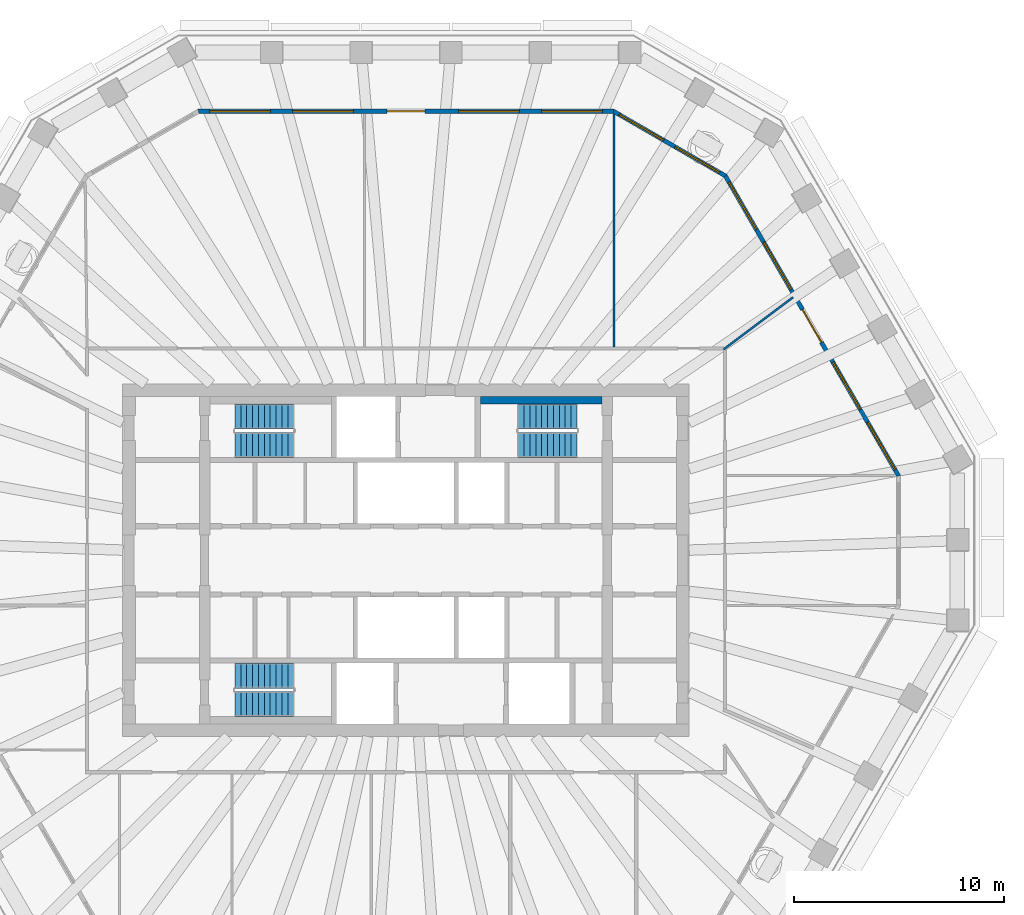
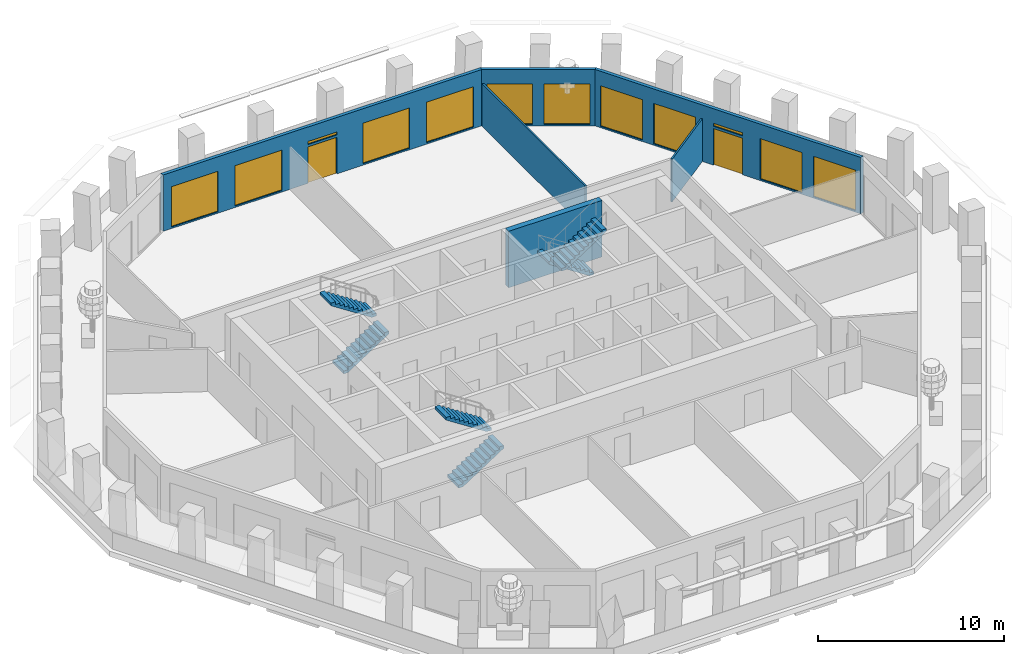
# One storey, part 8 of 12: 12 windows, 6 stair flights, 6 walls, 2 doors, 14 openings, 3 elements without a shape of their own.
"""IFC4 building model written with IfcOpenShell, lengths in metres."""

from ifc_helpers import new_model, si_unit, direction, frame, frame_2d, origin, place, context, subcontext, project, spatial, polyline, rectangle, outline, extrude, material, layer, layer_set, type_object, element, fill, aggregate, save


model = new_model("IFC4")

# Units and contexts
model_context = context("Model", 3, precision=1e-05, world=origin(), true_north=direction((0.0, 1.0)))
body_context = subcontext(model_context, "Body", "Model", "MODEL_VIEW")
ifc_project = project(units=[si_unit("LENGTHUNIT", "METRE"), si_unit("AREAUNIT", "SQUARE_METRE"), si_unit("VOLUMEUNIT", "CUBIC_METRE"), si_unit("PLANEANGLEUNIT", "RADIAN"), si_unit("MASSUNIT", "GRAM", prefix="KILO")], contexts=[model_context])

# Site, building, storey
site_placement = place(None, origin())
site = spatial("IfcSite", under=ifc_project, at=site_placement, CompositionType="ELEMENT")
building_placement = place(site_placement, origin())
building = spatial("IfcBuilding", under=site, at=building_placement, Name="Frailejon Research Tower", CompositionType="ELEMENT")
storey_placement = place(building_placement, frame((0.0, 0.0, 241.39990234375)))
storey = spatial("IfcBuildingStorey", under=building, at=storey_placement, Name="L52", CompositionType="ELEMENT", Elevation=241.39990234375)

# Walls
ifc_material_1 = material(Name="Gypsum board and masonry partition", Category="masonry")
ifc_layer_1 = layer(ifc_material_1, 0.10009765625)
ifc_layer_set_1 = layer_set([ifc_layer_1], Name="Partition, gypsum on steel studs 100")
wall_type_1 = type_object("IfcWallType", Name="Partition, gypsum on steel studs 100", PredefinedType="PARTITIONING", material=ifc_layer_set_1)
wall_1_placement = place(storey_placement, frame((15.139892578125, 10.054931640625, 0.0), z_axis=(0.0, 0.0, 1.0), x_axis=(0.799893673581, 0.600141742395, 0.0)))
element("IfcWall", 1, at=wall_1_placement, inside=storey, type_object=wall_type_1, Name="T:IW:L52:016", PredefinedType="PARTITIONING", context=body_context, shape_type="SweptSolid", body=[
    extrude(rectangle(XDim=4.133544921875, YDim=0.10009765625, at=frame_2d((2.06689453125, 0.0))), origin(), (0.0, 0.0, 1.0), 2.800048828125),
])
wall_2_placement = place(storey_placement, frame((9.918212890625, 10.175048828125, 0.0), z_axis=(0.0, 0.0, 1.0), x_axis=(0.0, 1.0, 0.0)))
element("IfcWall", 2, at=wall_2_placement, inside=storey, type_object=wall_type_1, Name="T:IW:L52:017", PredefinedType="PARTITIONING", context=body_context, shape_type="SweptSolid", body=[
    extrude(rectangle(XDim=11.093994140625, YDim=0.10009765625, at=frame_2d((5.546875, 0.0))), origin(), (0.0, 0.0, 1.0), 2.800048828125),
])
ifc_material_2 = material(Name="Concrete C60/75", Category="concrete")
ifc_layer_2 = layer(ifc_material_2, 0.35009765625)
ifc_layer_set_2 = layer_set([ifc_layer_2], Name="Shaft wall 350 C60/75")
wall_type_2 = type_object("IfcWallType", Name="Shaft wall 350 C60/75", PredefinedType="SOLIDWALL", material=ifc_layer_set_2)
wall_3_placement = place(storey_placement, frame((3.550048828125, 7.625, 0.0), z_axis=(0.0, 0.0, 1.0), x_axis=(1.0, 0.0, 0.0)))
element("IfcWall", 3, at=wall_3_placement, inside=storey, type_object=wall_type_2, Name="Shaft wall", PredefinedType="SOLIDWALL", context=body_context, shape_type="SweptSolid", body=[
    extrude(rectangle(XDim=5.800048828125, YDim=0.35009765625, at=frame_2d((2.89990234375, 0.0))), origin(), (0.0, 0.0, 1.0), 3.7001953125),
])

# Wall, openings, door, windows
ifc_material_3 = material(Name="Concrete C40/50 precast window wall panel", Category="concrete")
ifc_layer_3 = layer(ifc_material_3, 0.199951171875)
ifc_layer_set_3 = layer_set([ifc_layer_3], Name="Window wall 200")
wall_type_3 = type_object("IfcWallType", Name="Window wall 200", PredefinedType="SOLIDWALL", material=ifc_layer_set_3)
wall_4_placement = place(storey_placement, frame((23.478759765625, 4.019287109375, 0.0), z_axis=(0.0, 0.0, 1.0), x_axis=(-0.500000529106, 0.866025098304, 0.0)))
wall_4 = element("IfcWall", 4, at=wall_4_placement, inside=storey, type_object=wall_type_3, Name="Exterior wall L52", PredefinedType="SOLIDWALL", context=body_context, shape_type="SweptSolid", body=[
    extrude(outline(polyline([(-0.02685546875, -0.10009765625), (1.0087890625, -0.10009765625), (2.04443359375, -0.10009765625), (3.080078125, -0.10009765625), (4.11572265625, -0.10009765625), (5.151611328125, -0.10009765625), (6.187255859375, -0.10009765625), (7.222900390625, -0.10009765625), (8.258544921875, -0.10009765625), (9.294189453125, -0.10009765625), (10.329833984375, -0.10009765625), (11.365478515625, -0.10009765625), (12.4013671875, -0.10009765625), (13.43701171875, -0.10009765625), (14.47265625, -0.10009765625), (15.50830078125, -0.10009765625), (16.5439453125, -0.10009765625), (16.490234375, 0.10009765625), (15.461181640625, 0.10009765625), (14.432373046875, 0.10009765625), (13.4033203125, 0.10009765625), (12.37451171875, 0.10009765625), (11.345458984375, 0.10009765625), (10.31640625, 0.10009765625), (9.28759765625, 0.10009765625), (8.258544921875, 0.10009765625), (7.2294921875, 0.10009765625), (6.20068359375, 0.10009765625), (5.171630859375, 0.10009765625), (4.142578125, 0.10009765625), (3.11376953125, 0.10009765625), (2.084716796875, 0.10009765625), (1.055908203125, 0.10009765625), (0.02685546875, 0.10009765625), (-0.02685546875, -0.10009765625)])), origin(), (0.0, 0.0, 1.0), 3.7001953125),
])
opening_1_placement = place(wall_4_placement, frame((0.351806640625, 0.0, 0.10009765625)))
opening_1 = element("IfcOpeningElement", 5, at=opening_1_placement, cuts=wall_4, Name="Opening W18", PredefinedType="OPENING", context=body_context, shape_type="SweptSolid", body=[
    extrude(rectangle(XDim=2.60009765625, YDim=2.64990234375, at=frame_2d((1.300048828125, 1.324951171875))), frame((0.0, 0.10986328125, 0.0), z_axis=(0.0, -1.0, 0.0), x_axis=(1.0, 0.0, 0.0)), (0.0, 0.0, 1.0), 0.219970703125),
])
opening_2_placement = place(wall_4_placement, frame((3.6552734375, 0.0, 0.10009765625)))
opening_2 = element("IfcOpeningElement", 6, at=opening_2_placement, cuts=wall_4, Name="Opening W18", PredefinedType="OPENING", context=body_context, shape_type="SweptSolid", body=[
    extrude(rectangle(XDim=2.60009765625, YDim=2.64990234375, at=frame_2d((1.300048828125, 1.324951171875))), frame((0.0, 0.10986328125, 0.0), z_axis=(0.0, -1.0, 0.0), x_axis=(1.0, 0.0, 0.0)), (0.0, 0.0, 1.0), 0.219970703125),
])
opening_3_placement = place(wall_4_placement, frame((7.358642578125, 0.0, 0.0)))
opening_3 = element("IfcOpeningElement", 7, at=opening_3_placement, cuts=wall_4, Name="Opening LG52-1", PredefinedType="OPENING", context=body_context, shape_type="SweptSolid", body=[
    extrude(rectangle(XDim=1.800048828125, YDim=2.39990234375, at=frame_2d((0.89990234375, 1.199951171875))), frame((0.0, 0.10986328125, 0.0), z_axis=(0.0, -1.0, 0.0), x_axis=(1.0, 0.0, 0.0)), (0.0, 0.0, 1.0), 0.219970703125),
])
opening_4_placement = place(wall_4_placement, frame((7.358642578125, 0.0, 2.550048828125)))
opening_4 = element("IfcOpeningElement", 8, at=opening_4_placement, cuts=wall_4, Name="Opening W19", PredefinedType="OPENING", context=body_context, shape_type="SweptSolid", body=[
    extrude(rectangle(XDim=1.800048828125, YDim=0.199951171875, at=frame_2d((0.89990234375, 0.10009765625))), frame((0.0, 0.10986328125, 0.0), z_axis=(0.0, -1.0, 0.0), x_axis=(1.0, 0.0, 0.0)), (0.0, 0.0, 1.0), 0.219970703125),
])
opening_5_placement = place(wall_4_placement, frame((10.261962890625, 0.0, 0.10009765625)))
opening_5 = element("IfcOpeningElement", 9, at=opening_5_placement, cuts=wall_4, Name="Opening W18", PredefinedType="OPENING", context=body_context, shape_type="SweptSolid", body=[
    extrude(rectangle(XDim=2.60009765625, YDim=2.64990234375, at=frame_2d((1.300048828125, 1.324951171875))), frame((0.0, 0.10986328125, 0.0), z_axis=(0.0, -1.0, 0.0), x_axis=(1.0, 0.0, 0.0)), (0.0, 0.0, 1.0), 0.219970703125),
])
opening_6_placement = place(wall_4_placement, frame((13.5654296875, 0.0, 0.10009765625)))
opening_6 = element("IfcOpeningElement", 10, at=opening_6_placement, cuts=wall_4, Name="Opening W18", PredefinedType="OPENING", context=body_context, shape_type="SweptSolid", body=[
    extrude(rectangle(XDim=2.60009765625, YDim=2.64990234375, at=frame_2d((1.300048828125, 1.324951171875))), frame((0.0, 0.10986328125, 0.0), z_axis=(0.0, -1.0, 0.0), x_axis=(1.0, 0.0, 0.0)), (0.0, 0.0, 1.0), 0.219970703125),
])
ifc_material_4 = material(Name="Aluminium framed glazed door leaf", Category="aluminium")
door_type = type_object("IfcDoorType", Name="Loggia door 1800x2400", OperationType="DOUBLE_DOOR_SINGLE_SWING", PredefinedType="DOOR", material=ifc_material_4)
door_1_placement = place(opening_3_placement, origin())
door_1 = element("IfcDoor", 11, at=door_1_placement, inside=storey, type_object=door_type, Name="Door LG52-1", OperationType="DOUBLE_DOOR_SINGLE_SWING", OverallHeight=2.39990234375, OverallWidth=1.800048828125, PredefinedType="DOOR", context=body_context, shape_type="SweptSolid", body=[
    extrude(rectangle(XDim=1.800048828125, YDim=2.39990234375, at=frame_2d((0.89990234375, 1.199951171875))), frame((0.0, 0.02490234375, 0.0), z_axis=(0.0, -1.0, 0.0), x_axis=(1.0, 0.0, 0.0)), (0.0, 0.0, 1.0), 0.050048828125),
])
fill(opening_3, door_1)
ifc_material_5 = material(Name="Aluminium framed double glazing", Category="aluminium")
window_type_1 = type_object("IfcWindowType", Name="Window 1800x200", PartitioningType="SINGLE_PANEL", PredefinedType="WINDOW", material=ifc_material_5)
window_1_placement = place(opening_4_placement, origin())
window_1 = element("IfcWindow", 12, at=window_1_placement, inside=storey, type_object=window_type_1, Name="Window L52", OverallHeight=0.199951171875, OverallWidth=1.800048828125, PartitioningType="SINGLE_PANEL", PredefinedType="WINDOW", context=body_context, shape_type="SweptSolid", body=[
    extrude(rectangle(XDim=1.800048828125, YDim=0.199951171875, at=frame_2d((0.89990234375, 0.10009765625))), frame((0.0, 0.030029296875, 0.0), z_axis=(0.0, -1.0, 0.0), x_axis=(1.0, 0.0, 0.0)), (0.0, 0.0, 1.0), 0.06005859375),
])
fill(opening_4, window_1)
ifc_material_6 = material(Name="Aluminium framed double glazing", Category="aluminium")
window_type_2 = type_object("IfcWindowType", Name="Window 2600x2650", PartitioningType="SINGLE_PANEL", PredefinedType="WINDOW", material=ifc_material_6)
window_2_placement = place(opening_1_placement, origin())
window_2 = element("IfcWindow", 13, at=window_2_placement, inside=storey, type_object=window_type_2, Name="Window L52", OverallHeight=2.64990234375, OverallWidth=2.60009765625, PartitioningType="SINGLE_PANEL", PredefinedType="WINDOW", context=body_context, shape_type="SweptSolid", body=[
    extrude(rectangle(XDim=2.60009765625, YDim=2.64990234375, at=frame_2d((1.300048828125, 1.324951171875))), frame((0.0, 0.030029296875, 0.0), z_axis=(0.0, -1.0, 0.0), x_axis=(1.0, 0.0, 0.0)), (0.0, 0.0, 1.0), 0.06005859375),
])
fill(opening_1, window_2)
window_3_placement = place(opening_2_placement, origin())
window_3 = element("IfcWindow", 14, at=window_3_placement, inside=storey, type_object=window_type_2, Name="Window L52", OverallHeight=2.64990234375, OverallWidth=2.60009765625, PartitioningType="SINGLE_PANEL", PredefinedType="WINDOW", context=body_context, shape_type="SweptSolid", body=[
    extrude(rectangle(XDim=2.60009765625, YDim=2.64990234375, at=frame_2d((1.300048828125, 1.324951171875))), frame((0.0, 0.030029296875, 0.0), z_axis=(0.0, -1.0, 0.0), x_axis=(1.0, 0.0, 0.0)), (0.0, 0.0, 1.0), 0.06005859375),
])
fill(opening_2, window_3)
window_4_placement = place(opening_5_placement, origin())
window_4 = element("IfcWindow", 15, at=window_4_placement, inside=storey, type_object=window_type_2, Name="Window L52", OverallHeight=2.64990234375, OverallWidth=2.60009765625, PartitioningType="SINGLE_PANEL", PredefinedType="WINDOW", context=body_context, shape_type="SweptSolid", body=[
    extrude(rectangle(XDim=2.60009765625, YDim=2.64990234375, at=frame_2d((1.300048828125, 1.324951171875))), frame((0.0, 0.030029296875, 0.0), z_axis=(0.0, -1.0, 0.0), x_axis=(1.0, 0.0, 0.0)), (0.0, 0.0, 1.0), 0.06005859375),
])
fill(opening_5, window_4)
window_5_placement = place(opening_6_placement, origin())
window_5 = element("IfcWindow", 16, at=window_5_placement, inside=storey, type_object=window_type_2, Name="Window L52", OverallHeight=2.64990234375, OverallWidth=2.60009765625, PartitioningType="SINGLE_PANEL", PredefinedType="WINDOW", context=body_context, shape_type="SweptSolid", body=[
    extrude(rectangle(XDim=2.60009765625, YDim=2.64990234375, at=frame_2d((1.300048828125, 1.324951171875))), frame((0.0, 0.030029296875, 0.0), z_axis=(0.0, -1.0, 0.0), x_axis=(1.0, 0.0, 0.0)), (0.0, 0.0, 1.0), 0.06005859375),
])
fill(opening_6, window_5)

# Wall, openings, windows
wall_5_placement = place(storey_placement, frame((15.22021484375, 18.323486328125, 0.0), z_axis=(0.0, 0.0, 1.0), x_axis=(-0.866029647142, 0.499992650217, 0.0)))
wall_5 = element("IfcWall", 17, at=wall_5_placement, inside=storey, type_object=wall_type_3, Name="Exterior wall L52", PredefinedType="SOLIDWALL", context=body_context, shape_type="SweptSolid", body=[
    extrude(outline(polyline([(-0.02685546875, -0.10009765625), (1.007568359375, -0.10009765625), (2.0419921875, -0.10009765625), (3.076416015625, -0.10009765625), (4.11083984375, -0.10009765625), (5.145263671875, -0.10009765625), (6.1796875, -0.10009765625), (6.1259765625, 0.10009765625), (5.109375, 0.10009765625), (4.093017578125, 0.10009765625), (3.076416015625, 0.10009765625), (2.059814453125, 0.10009765625), (1.04345703125, 0.10009765625), (0.02685546875, 0.10009765625), (-0.02685546875, -0.10009765625)])), origin(), (0.0, 0.0, 1.0), 3.7001953125),
])
opening_7_placement = place(wall_5_placement, frame((0.313232421875, 0.0, 0.10009765625)))
opening_7 = element("IfcOpeningElement", 18, at=opening_7_placement, cuts=wall_5, Name="Opening W17", PredefinedType="OPENING", context=body_context, shape_type="SweptSolid", body=[
    extrude(rectangle(XDim=2.449951171875, YDim=2.64990234375, at=frame_2d((1.22509765625, 1.324951171875))), frame((0.0, 0.10986328125, 0.0), z_axis=(0.0, -1.0, 0.0), x_axis=(1.0, 0.0, 0.0)), (0.0, 0.0, 1.0), 0.219970703125),
])
opening_8_placement = place(wall_5_placement, frame((3.3896484375, 0.0, 0.10009765625)))
opening_8 = element("IfcOpeningElement", 19, at=opening_8_placement, cuts=wall_5, Name="Opening W17", PredefinedType="OPENING", context=body_context, shape_type="SweptSolid", body=[
    extrude(rectangle(XDim=2.449951171875, YDim=2.64990234375, at=frame_2d((1.22509765625, 1.324951171875))), frame((0.0, 0.10986328125, 0.0), z_axis=(0.0, -1.0, 0.0), x_axis=(1.0, 0.0, 0.0)), (0.0, 0.0, 1.0), 0.219970703125),
])
ifc_material_7 = material(Name="Aluminium framed double glazing", Category="aluminium")
window_type_3 = type_object("IfcWindowType", Name="Window 2450x2650", PartitioningType="SINGLE_PANEL", PredefinedType="WINDOW", material=ifc_material_7)
window_6_placement = place(opening_7_placement, origin())
window_6 = element("IfcWindow", 20, at=window_6_placement, inside=storey, type_object=window_type_3, Name="Window L52", OverallHeight=2.64990234375, OverallWidth=2.449951171875, PartitioningType="SINGLE_PANEL", PredefinedType="WINDOW", context=body_context, shape_type="SweptSolid", body=[
    extrude(rectangle(XDim=2.449951171875, YDim=2.64990234375, at=frame_2d((1.22509765625, 1.324951171875))), frame((0.0, 0.030029296875, 0.0), z_axis=(0.0, -1.0, 0.0), x_axis=(1.0, 0.0, 0.0)), (0.0, 0.0, 1.0), 0.06005859375),
])
fill(opening_7, window_6)
window_7_placement = place(opening_8_placement, origin())
window_7 = element("IfcWindow", 21, at=window_7_placement, inside=storey, type_object=window_type_3, Name="Window L52", OverallHeight=2.64990234375, OverallWidth=2.449951171875, PartitioningType="SINGLE_PANEL", PredefinedType="WINDOW", context=body_context, shape_type="SweptSolid", body=[
    extrude(rectangle(XDim=2.449951171875, YDim=2.64990234375, at=frame_2d((1.22509765625, 1.324951171875))), frame((0.0, 0.030029296875, 0.0), z_axis=(0.0, -1.0, 0.0), x_axis=(1.0, 0.0, 0.0)), (0.0, 0.0, 1.0), 0.06005859375),
])
fill(opening_8, window_7)

# Wall, openings, door, windows
wall_6_placement = place(storey_placement, frame((9.8916015625, 21.39990234375, 0.0), z_axis=(0.0, 0.0, 1.0), x_axis=(-1.0, 0.0, 0.0)))
wall_6 = element("IfcWall", 22, at=wall_6_placement, inside=storey, type_object=wall_type_3, Name="Exterior wall L52", PredefinedType="SOLIDWALL", context=body_context, shape_type="SweptSolid", body=[
    extrude(outline(polyline([(-0.02685546875, -0.10009765625), (1.01708984375, -0.10009765625), (2.061279296875, -0.10009765625), (3.105224609375, -0.10009765625), (4.1494140625, -0.10009765625), (5.193359375, -0.10009765625), (6.237548828125, -0.10009765625), (7.281494140625, -0.10009765625), (8.325439453125, -0.10009765625), (9.36962890625, -0.10009765625), (10.41357421875, -0.10009765625), (11.457763671875, -0.10009765625), (12.501708984375, -0.10009765625), (13.545654296875, -0.10009765625), (14.58984375, -0.10009765625), (15.6337890625, -0.10009765625), (16.677978515625, -0.10009765625), (17.721923828125, -0.10009765625), (18.76611328125, -0.10009765625), (19.81005859375, -0.10009765625), (19.75634765625, 0.10009765625), (18.718017578125, 0.10009765625), (17.679443359375, 0.10009765625), (16.64111328125, 0.10009765625), (15.602783203125, 0.10009765625), (14.564453125, 0.10009765625), (13.52587890625, 0.10009765625), (12.487548828125, 0.10009765625), (11.44921875, 0.10009765625), (10.410888671875, 0.10009765625), (9.372314453125, 0.10009765625), (8.333984375, 0.10009765625), (7.295654296875, 0.10009765625), (6.25732421875, 0.10009765625), (5.21875, 0.10009765625), (4.180419921875, 0.10009765625), (3.14208984375, 0.10009765625), (2.103759765625, 0.10009765625), (1.065185546875, 0.10009765625), (0.02685546875, 0.10009765625), (-0.02685546875, -0.10009765625)])), origin(), (0.0, 0.0, 1.0), 3.7001953125),
])
opening_9_placement = place(wall_6_placement, frame((0.5283203125, 0.0, 0.10009765625)))
opening_9 = element("IfcOpeningElement", 23, at=opening_9_placement, cuts=wall_6, Name="Opening W20", PredefinedType="OPENING", context=body_context, shape_type="SweptSolid", body=[
    extrude(rectangle(XDim=2.89990234375, YDim=2.64990234375, at=frame_2d((1.449951171875, 1.324951171875))), frame((0.0, 0.10986328125, 0.0), z_axis=(0.0, -1.0, 0.0), x_axis=(1.0, 0.0, 0.0)), (0.0, 0.0, 1.0), 0.219970703125),
])
opening_10_placement = place(wall_6_placement, frame((4.48486328125, 0.0, 0.10009765625)))
opening_10 = element("IfcOpeningElement", 24, at=opening_10_placement, cuts=wall_6, Name="Opening W20", PredefinedType="OPENING", context=body_context, shape_type="SweptSolid", body=[
    extrude(rectangle(XDim=2.89990234375, YDim=2.64990234375, at=frame_2d((1.449951171875, 1.324951171875))), frame((0.0, 0.10986328125, 0.0), z_axis=(0.0, -1.0, 0.0), x_axis=(1.0, 0.0, 0.0)), (0.0, 0.0, 1.0), 0.219970703125),
])
opening_11_placement = place(wall_6_placement, frame((8.991455078125, 0.0, 0.0)))
opening_11 = element("IfcOpeningElement", 25, at=opening_11_placement, cuts=wall_6, Name="Opening LG52-2", PredefinedType="OPENING", context=body_context, shape_type="SweptSolid", body=[
    extrude(rectangle(XDim=1.800048828125, YDim=2.39990234375, at=frame_2d((0.89990234375, 1.199951171875))), frame((0.0, 0.10986328125, 0.0), z_axis=(0.0, -1.0, 0.0), x_axis=(1.0, 0.0, 0.0)), (0.0, 0.0, 1.0), 0.219970703125),
])
opening_12_placement = place(wall_6_placement, frame((8.991455078125, 0.0, 2.550048828125)))
opening_12 = element("IfcOpeningElement", 26, at=opening_12_placement, cuts=wall_6, Name="Opening W19", PredefinedType="OPENING", context=body_context, shape_type="SweptSolid", body=[
    extrude(rectangle(XDim=1.800048828125, YDim=0.199951171875, at=frame_2d((0.89990234375, 0.10009765625))), frame((0.0, 0.10986328125, 0.0), z_axis=(0.0, -1.0, 0.0), x_axis=(1.0, 0.0, 0.0)), (0.0, 0.0, 1.0), 0.219970703125),
])
opening_13_placement = place(wall_6_placement, frame((12.398193359375, 0.0, 0.10009765625)))
opening_13 = element("IfcOpeningElement", 27, at=opening_13_placement, cuts=wall_6, Name="Opening W20", PredefinedType="OPENING", context=body_context, shape_type="SweptSolid", body=[
    extrude(rectangle(XDim=2.89990234375, YDim=2.64990234375, at=frame_2d((1.449951171875, 1.324951171875))), frame((0.0, 0.10986328125, 0.0), z_axis=(0.0, -1.0, 0.0), x_axis=(1.0, 0.0, 0.0)), (0.0, 0.0, 1.0), 0.219970703125),
])
opening_14_placement = place(wall_6_placement, frame((16.354736328125, 0.0, 0.10009765625)))
opening_14 = element("IfcOpeningElement", 28, at=opening_14_placement, cuts=wall_6, Name="Opening W20", PredefinedType="OPENING", context=body_context, shape_type="SweptSolid", body=[
    extrude(rectangle(XDim=2.89990234375, YDim=2.64990234375, at=frame_2d((1.449951171875, 1.324951171875))), frame((0.0, 0.10986328125, 0.0), z_axis=(0.0, -1.0, 0.0), x_axis=(1.0, 0.0, 0.0)), (0.0, 0.0, 1.0), 0.219970703125),
])
door_2_placement = place(opening_11_placement, origin())
door_2 = element("IfcDoor", 29, at=door_2_placement, inside=storey, type_object=door_type, Name="Door LG52-2", OperationType="DOUBLE_DOOR_SINGLE_SWING", OverallHeight=2.39990234375, OverallWidth=1.800048828125, PredefinedType="DOOR", context=body_context, shape_type="SweptSolid", body=[
    extrude(rectangle(XDim=1.800048828125, YDim=2.39990234375, at=frame_2d((0.89990234375, 1.199951171875))), frame((0.0, 0.02490234375, 0.0), z_axis=(0.0, -1.0, 0.0), x_axis=(1.0, 0.0, 0.0)), (0.0, 0.0, 1.0), 0.050048828125),
])
fill(opening_11, door_2)
window_8_placement = place(opening_12_placement, origin())
window_8 = element("IfcWindow", 30, at=window_8_placement, inside=storey, type_object=window_type_1, Name="Window L52", OverallHeight=0.199951171875, OverallWidth=1.800048828125, PartitioningType="SINGLE_PANEL", PredefinedType="WINDOW", context=body_context, shape_type="SweptSolid", body=[
    extrude(rectangle(XDim=1.800048828125, YDim=0.199951171875, at=frame_2d((0.89990234375, 0.10009765625))), frame((0.0, 0.030029296875, 0.0), z_axis=(0.0, -1.0, 0.0), x_axis=(1.0, 0.0, 0.0)), (0.0, 0.0, 1.0), 0.06005859375),
])
fill(opening_12, window_8)
ifc_material_8 = material(Name="Aluminium framed double glazing", Category="aluminium")
window_type_4 = type_object("IfcWindowType", Name="Window 2900x2650", PartitioningType="SINGLE_PANEL", PredefinedType="WINDOW", material=ifc_material_8)
window_9_placement = place(opening_9_placement, origin())
window_9 = element("IfcWindow", 31, at=window_9_placement, inside=storey, type_object=window_type_4, Name="Window L52", OverallHeight=2.64990234375, OverallWidth=2.89990234375, PartitioningType="SINGLE_PANEL", PredefinedType="WINDOW", context=body_context, shape_type="SweptSolid", body=[
    extrude(rectangle(XDim=2.89990234375, YDim=2.64990234375, at=frame_2d((1.449951171875, 1.324951171875))), frame((0.0, 0.030029296875, 0.0), z_axis=(0.0, -1.0, 0.0), x_axis=(1.0, 0.0, 0.0)), (0.0, 0.0, 1.0), 0.06005859375),
])
fill(opening_9, window_9)
window_10_placement = place(opening_10_placement, origin())
window_10 = element("IfcWindow", 32, at=window_10_placement, inside=storey, type_object=window_type_4, Name="Window L52", OverallHeight=2.64990234375, OverallWidth=2.89990234375, PartitioningType="SINGLE_PANEL", PredefinedType="WINDOW", context=body_context, shape_type="SweptSolid", body=[
    extrude(rectangle(XDim=2.89990234375, YDim=2.64990234375, at=frame_2d((1.449951171875, 1.324951171875))), frame((0.0, 0.030029296875, 0.0), z_axis=(0.0, -1.0, 0.0), x_axis=(1.0, 0.0, 0.0)), (0.0, 0.0, 1.0), 0.06005859375),
])
fill(opening_10, window_10)
window_11_placement = place(opening_13_placement, origin())
window_11 = element("IfcWindow", 33, at=window_11_placement, inside=storey, type_object=window_type_4, Name="Window L52", OverallHeight=2.64990234375, OverallWidth=2.89990234375, PartitioningType="SINGLE_PANEL", PredefinedType="WINDOW", context=body_context, shape_type="SweptSolid", body=[
    extrude(rectangle(XDim=2.89990234375, YDim=2.64990234375, at=frame_2d((1.449951171875, 1.324951171875))), frame((0.0, 0.030029296875, 0.0), z_axis=(0.0, -1.0, 0.0), x_axis=(1.0, 0.0, 0.0)), (0.0, 0.0, 1.0), 0.06005859375),
])
fill(opening_13, window_11)
window_12_placement = place(opening_14_placement, origin())
window_12 = element("IfcWindow", 34, at=window_12_placement, inside=storey, type_object=window_type_4, Name="Window L52", OverallHeight=2.64990234375, OverallWidth=2.89990234375, PartitioningType="SINGLE_PANEL", PredefinedType="WINDOW", context=body_context, shape_type="SweptSolid", body=[
    extrude(rectangle(XDim=2.89990234375, YDim=2.64990234375, at=frame_2d((1.449951171875, 1.324951171875))), frame((0.0, 0.030029296875, 0.0), z_axis=(0.0, -1.0, 0.0), x_axis=(1.0, 0.0, 0.0)), (0.0, 0.0, 1.0), 0.06005859375),
])
fill(opening_14, window_12)

# Stair, stair flights
ifc_material_9 = material(Name="Concrete C50/60", Category="concrete")
stair_type = type_object("IfcStairType", Name="Exit stair 22 risers", PredefinedType="HALF_TURN_STAIR", material=ifc_material_9)
stair_1_placement = place(storey_placement, origin())
stair_1 = element("IfcStair", 35, at=stair_1_placement, inside=storey, type_object=stair_type, Name="L52 Exit stair ST1", PredefinedType="HALF_TURN_STAIR")
ifc_material_10 = material(Name="Concrete C50/60", Category="concrete")
ifc_layer_4 = layer(ifc_material_10, 0.14990234375)
ifc_layer_set_4 = layer_set([ifc_layer_4], Name="Stair flight 11 risers")
stair_flight_type = type_object("IfcStairFlightType", Name="Stair flight 11 risers", PredefinedType="STRAIGHT", material=ifc_layer_set_4)
stair_flight_1_placement = place(storey_placement, frame((-8.14990234375, 5.5, 0.0), z_axis=(0.0, 0.0, 1.0), x_axis=(1.0, 0.0, 0.0)))
stair_flight_1 = element("IfcStairFlight", 36, at=stair_flight_1_placement, type_object=stair_flight_type, Name="ST1 flight 1", NumberOfRisers=11, NumberOfTreads=10, PredefinedType="STRAIGHT", RiserHeight=0.181818182, TreadLength=0.28, context=body_context, shape_type="SweptSolid", body=[
    extrude(outline(polyline([(0.0, 0.0), (0.0, 0.181884765625), (0.280029296875, 0.181884765625), (0.280029296875, 0.363525390625), (0.56005859375, 0.363525390625), (0.56005859375, 0.54541015625), (0.840087890625, 0.54541015625), (0.840087890625, 0.727294921875), (1.1201171875, 0.727294921875), (1.1201171875, 0.9091796875), (1.39990234375, 0.9091796875), (1.39990234375, 1.0908203125), (1.679931640625, 1.0908203125), (1.679931640625, 1.272705078125), (1.9599609375, 1.272705078125), (1.9599609375, 1.45458984375), (2.239990234375, 1.45458984375), (2.239990234375, 1.636474609375), (2.52001953125, 1.636474609375), (2.52001953125, 1.818115234375), (2.800048828125, 1.818115234375), (2.800048828125, 2.0), (2.800048828125, 1.639404296875), (0.275146484375, 0.0), (0.0, 0.0)])), frame((0.0, 0.60009765625, 0.0), z_axis=(0.0, -1.0, 0.0), x_axis=(1.0, 0.0, 0.0)), (0.0, 0.0, 1.0), 1.199951171875),
])
stair_flight_2_placement = place(storey_placement, frame((-5.35009765625, 6.85009765625, 2.0), z_axis=(0.0, 0.0, 1.0), x_axis=(-1.0, 0.0, 0.0)))
stair_flight_2 = element("IfcStairFlight", 37, at=stair_flight_2_placement, type_object=stair_flight_type, Name="ST1 flight 2", NumberOfRisers=11, NumberOfTreads=10, PredefinedType="STRAIGHT", RiserHeight=0.181818182, TreadLength=0.28, context=body_context, shape_type="SweptSolid", body=[
    extrude(outline(polyline([(0.0, 0.0), (0.0, 0.181884765625), (0.280029296875, 0.181884765625), (0.280029296875, 0.363525390625), (0.56005859375, 0.363525390625), (0.56005859375, 0.54541015625), (0.840087890625, 0.54541015625), (0.840087890625, 0.727294921875), (1.1201171875, 0.727294921875), (1.1201171875, 0.9091796875), (1.39990234375, 0.9091796875), (1.39990234375, 1.0908203125), (1.679931640625, 1.0908203125), (1.679931640625, 1.272705078125), (1.9599609375, 1.272705078125), (1.9599609375, 1.45458984375), (2.239990234375, 1.45458984375), (2.239990234375, 1.636474609375), (2.52001953125, 1.636474609375), (2.52001953125, 1.818115234375), (2.800048828125, 1.818115234375), (2.800048828125, 2.0), (2.800048828125, 1.639404296875), (0.275146484375, 0.0), (0.0, 0.0)])), frame((0.0, 0.60009765625, 0.0), z_axis=(0.0, -1.0, 0.0), x_axis=(1.0, 0.0, 0.0)), (0.0, 0.0, 1.0), 1.199951171875),
])
aggregate(stair_1, [stair_flight_1, stair_flight_2])

stair_2_placement = place(storey_placement, origin())
stair_2 = element("IfcStair", 38, at=stair_2_placement, inside=storey, type_object=stair_type, Name="L52 Exit stair ST2", PredefinedType="HALF_TURN_STAIR")
stair_flight_3_placement = place(storey_placement, frame((-8.14990234375, -6.85009765625, 0.0), z_axis=(0.0, 0.0, 1.0), x_axis=(1.0, 0.0, 0.0)))
stair_flight_3 = element("IfcStairFlight", 39, at=stair_flight_3_placement, type_object=stair_flight_type, Name="ST2 flight 1", NumberOfRisers=11, NumberOfTreads=10, PredefinedType="STRAIGHT", RiserHeight=0.181818182, TreadLength=0.28, context=body_context, shape_type="SweptSolid", body=[
    extrude(outline(polyline([(0.0, 0.0), (0.0, 0.181884765625), (0.280029296875, 0.181884765625), (0.280029296875, 0.363525390625), (0.56005859375, 0.363525390625), (0.56005859375, 0.54541015625), (0.840087890625, 0.54541015625), (0.840087890625, 0.727294921875), (1.1201171875, 0.727294921875), (1.1201171875, 0.9091796875), (1.39990234375, 0.9091796875), (1.39990234375, 1.0908203125), (1.679931640625, 1.0908203125), (1.679931640625, 1.272705078125), (1.9599609375, 1.272705078125), (1.9599609375, 1.45458984375), (2.239990234375, 1.45458984375), (2.239990234375, 1.636474609375), (2.52001953125, 1.636474609375), (2.52001953125, 1.818115234375), (2.800048828125, 1.818115234375), (2.800048828125, 2.0), (2.800048828125, 1.639404296875), (0.275146484375, 0.0), (0.0, 0.0)])), frame((0.0, 0.60009765625, 0.0), z_axis=(0.0, -1.0, 0.0), x_axis=(1.0, 0.0, 0.0)), (0.0, 0.0, 1.0), 1.199951171875),
])
stair_flight_4_placement = place(storey_placement, frame((-5.35009765625, -5.5, 2.0), z_axis=(0.0, 0.0, 1.0), x_axis=(-1.0, 0.0, 0.0)))
stair_flight_4 = element("IfcStairFlight", 40, at=stair_flight_4_placement, type_object=stair_flight_type, Name="ST2 flight 2", NumberOfRisers=11, NumberOfTreads=10, PredefinedType="STRAIGHT", RiserHeight=0.181818182, TreadLength=0.28, context=body_context, shape_type="SweptSolid", body=[
    extrude(outline(polyline([(0.0, 0.0), (0.0, 0.181884765625), (0.280029296875, 0.181884765625), (0.280029296875, 0.363525390625), (0.56005859375, 0.363525390625), (0.56005859375, 0.54541015625), (0.840087890625, 0.54541015625), (0.840087890625, 0.727294921875), (1.1201171875, 0.727294921875), (1.1201171875, 0.9091796875), (1.39990234375, 0.9091796875), (1.39990234375, 1.0908203125), (1.679931640625, 1.0908203125), (1.679931640625, 1.272705078125), (1.9599609375, 1.272705078125), (1.9599609375, 1.45458984375), (2.239990234375, 1.45458984375), (2.239990234375, 1.636474609375), (2.52001953125, 1.636474609375), (2.52001953125, 1.818115234375), (2.800048828125, 1.818115234375), (2.800048828125, 2.0), (2.800048828125, 1.639404296875), (0.275146484375, 0.0), (0.0, 0.0)])), frame((0.0, 0.60009765625, 0.0), z_axis=(0.0, -1.0, 0.0), x_axis=(1.0, 0.0, 0.0)), (0.0, 0.0, 1.0), 1.199951171875),
])
aggregate(stair_2, [stair_flight_3, stair_flight_4])

stair_3_placement = place(storey_placement, origin())
stair_3 = element("IfcStair", 41, at=stair_3_placement, inside=storey, type_object=stair_type, Name="L52 Exit stair ST3", PredefinedType="HALF_TURN_STAIR")
stair_flight_5_placement = place(storey_placement, frame((8.14990234375, 6.85009765625, 0.0), z_axis=(0.0, 0.0, 1.0), x_axis=(-1.0, 0.0, 0.0)))
stair_flight_5 = element("IfcStairFlight", 42, at=stair_flight_5_placement, type_object=stair_flight_type, Name="ST3 flight 1", NumberOfRisers=11, NumberOfTreads=10, PredefinedType="STRAIGHT", RiserHeight=0.181818182, TreadLength=0.28, context=body_context, shape_type="SweptSolid", body=[
    extrude(outline(polyline([(0.0, 0.0), (0.0, 0.181884765625), (0.280029296875, 0.181884765625), (0.280029296875, 0.363525390625), (0.56005859375, 0.363525390625), (0.56005859375, 0.54541015625), (0.840087890625, 0.54541015625), (0.840087890625, 0.727294921875), (1.1201171875, 0.727294921875), (1.1201171875, 0.9091796875), (1.39990234375, 0.9091796875), (1.39990234375, 1.0908203125), (1.679931640625, 1.0908203125), (1.679931640625, 1.272705078125), (1.9599609375, 1.272705078125), (1.9599609375, 1.45458984375), (2.239990234375, 1.45458984375), (2.239990234375, 1.636474609375), (2.52001953125, 1.636474609375), (2.52001953125, 1.818115234375), (2.800048828125, 1.818115234375), (2.800048828125, 2.0), (2.800048828125, 1.639404296875), (0.275146484375, 0.0), (0.0, 0.0)])), frame((0.0, 0.60009765625, 0.0), z_axis=(0.0, -1.0, 0.0), x_axis=(1.0, 0.0, 0.0)), (0.0, 0.0, 1.0), 1.199951171875),
])
stair_flight_6_placement = place(storey_placement, frame((5.35009765625, 5.5, 2.0), z_axis=(0.0, 0.0, 1.0), x_axis=(1.0, 0.0, 0.0)))
stair_flight_6 = element("IfcStairFlight", 43, at=stair_flight_6_placement, type_object=stair_flight_type, Name="ST3 flight 2", NumberOfRisers=11, NumberOfTreads=10, PredefinedType="STRAIGHT", RiserHeight=0.181818182, TreadLength=0.28, context=body_context, shape_type="SweptSolid", body=[
    extrude(outline(polyline([(0.0, 0.0), (0.0, 0.181884765625), (0.280029296875, 0.181884765625), (0.280029296875, 0.363525390625), (0.56005859375, 0.363525390625), (0.56005859375, 0.54541015625), (0.840087890625, 0.54541015625), (0.840087890625, 0.727294921875), (1.1201171875, 0.727294921875), (1.1201171875, 0.9091796875), (1.39990234375, 0.9091796875), (1.39990234375, 1.0908203125), (1.679931640625, 1.0908203125), (1.679931640625, 1.272705078125), (1.9599609375, 1.272705078125), (1.9599609375, 1.45458984375), (2.239990234375, 1.45458984375), (2.239990234375, 1.636474609375), (2.52001953125, 1.636474609375), (2.52001953125, 1.818115234375), (2.800048828125, 1.818115234375), (2.800048828125, 2.0), (2.800048828125, 1.639404296875), (0.275146484375, 0.0), (0.0, 0.0)])), frame((0.0, 0.60009765625, 0.0), z_axis=(0.0, -1.0, 0.0), x_axis=(1.0, 0.0, 0.0)), (0.0, 0.0, 1.0), 1.199951171875),
])
aggregate(stair_3, [stair_flight_5, stair_flight_6])

save(model, "model.ifc")
